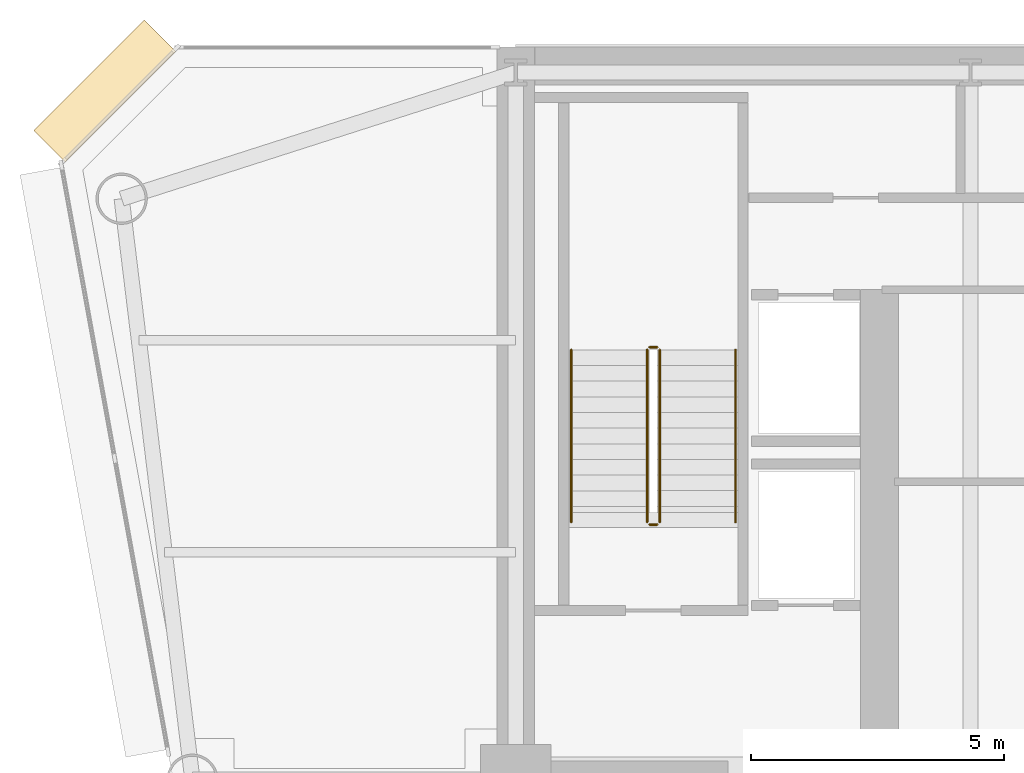
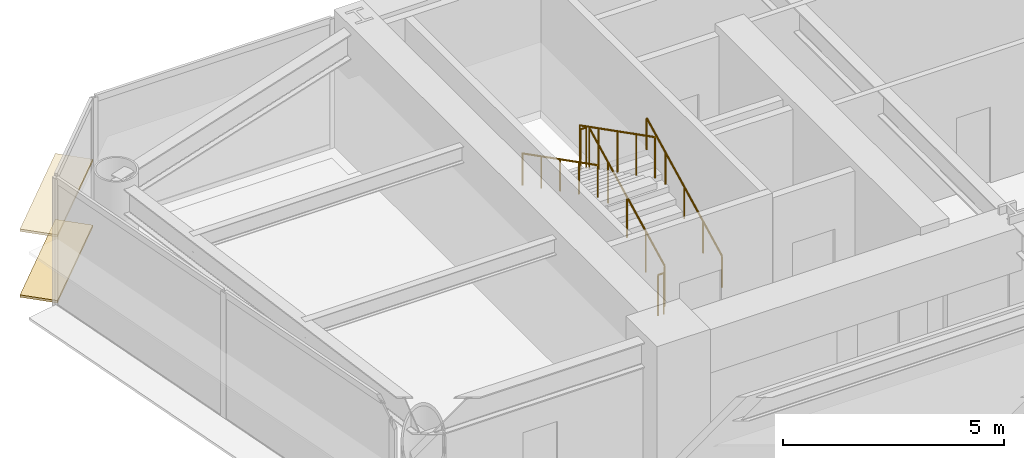
# One storey, part 12 of 14: 6 railings, 2 coverings.
"""IFC4 building model written with IfcOpenShell, lengths in metres."""

from ifc_helpers import new_model, si_unit, direction, frame, origin, origin_2d, place, context, subcontext, project, spatial, rectangle, circle, extrude, source, transform, mapped, material, layer, layer_set, type_object, element, save


model = new_model("IFC4")

# Units and contexts
model_context = context("Model", 3, precision=1e-05, world=origin(), true_north=direction((0.0, 1.0)))
body_context = subcontext(model_context, "Body", "Model", "MODEL_VIEW")
ifc_project = project(units=[si_unit("LENGTHUNIT", "METRE"), si_unit("AREAUNIT", "SQUARE_METRE"), si_unit("VOLUMEUNIT", "CUBIC_METRE"), si_unit("PLANEANGLEUNIT", "RADIAN"), si_unit("MASSUNIT", "GRAM", prefix="KILO")], contexts=[model_context])

# Site, building, storey
site_placement = place(None, origin())
site = spatial("IfcSite", under=ifc_project, at=site_placement, CompositionType="ELEMENT")
building_placement = place(site_placement, origin())
building = spatial("IfcBuilding", under=site, at=building_placement, Name="Vaeldorn Concourse Tower", CompositionType="ELEMENT")
storey_placement = place(building_placement, frame((0.0, 0.0, 126.199951171875)))
storey = spatial("IfcBuildingStorey", under=building, at=storey_placement, Name="L32", CompositionType="ELEMENT", Elevation=126.199951171875)

# Railings
ifc_material = material(Name="Anodised Bronze Aluminium", Category="aluminium")
railing_type_1 = type_object("IfcRailingType", Name="RL-STAIR-GUARD", PredefinedType="GUARDRAIL", material=ifc_material)
railing_1_placement = place(storey_placement, frame((16.85009765625, 41.60009765625, 0.158447265625)))
element("IfcRailing", 1, at=railing_1_placement, inside=storey, type_object=railing_type_1, Name="L32 ST-1 stair guard 1", PredefinedType="GUARDRAIL", context=body_context, shape_type="SweptSolid", body=[
    extrude(circle(Radius=0.02392578125, at=origin_2d()), frame((0.0, 0.0, 1.1259765625), z_axis=(0.0, 0.890555807335, 0.454873997962), x_axis=(-1.0, 0.0, 0.0)), (0.0, 0.0, 1.0), 3.828857421875),
    extrude(circle(Radius=0.02099609375, at=origin_2d()), origin(), (0.0, 0.0, 1.0), 1.101806640625),
    extrude(circle(Radius=0.02099609375, at=origin_2d()), frame((0.0, 0.8525390625, 0.435546875)), (0.0, 0.0, 1.0), 1.101806640625),
    extrude(circle(Radius=0.02099609375, at=origin_2d()), frame((0.0, 1.705078125, 0.870849609375)), (0.0, 0.0, 1.0), 1.101806640625),
    extrude(circle(Radius=0.02099609375, at=origin_2d()), frame((0.0, 2.557373046875, 1.30615234375)), (0.0, 0.0, 1.0), 1.101806640625),
    extrude(circle(Radius=0.02099609375, at=origin_2d()), frame((0.0, 3.409912109375, 1.74169921875)), (0.0, 0.0, 1.0), 1.101806640625),
])
railing_2_placement = place(storey_placement, frame((16.800048828125, 45.06005859375, 1.900146484375)))
element("IfcRailing", 2, at=railing_2_placement, inside=storey, type_object=railing_type_1, Name="L32 ST-1 stair guard 2", PredefinedType="GUARDRAIL", context=body_context, shape_type="SweptSolid", body=[
    extrude(circle(Radius=0.02392578125, at=origin_2d()), frame((0.0, 0.0, 1.1259765625), z_axis=(-1.0, 0.0, 0.0), x_axis=(0.0, -1.0, 0.0)), (0.0, 0.0, 1.0), 0.150146484375),
    extrude(circle(Radius=0.02099609375, at=origin_2d()), origin(), (0.0, 0.0, 1.0), 1.101806640625),
    extrude(circle(Radius=0.02099609375, at=origin_2d()), frame((-0.150146484375, 0.0, 0.0)), (0.0, 0.0, 1.0), 1.101806640625),
])
railing_3_placement = place(storey_placement, frame((16.60009765625, 45.010009765625, 2.058349609375)))
element("IfcRailing", 3, at=railing_3_placement, inside=storey, type_object=railing_type_1, Name="L32 ST-1 stair guard 3", PredefinedType="GUARDRAIL", context=body_context, shape_type="SweptSolid", body=[
    extrude(circle(Radius=0.02392578125, at=origin_2d()), frame((0.0, 0.0, 1.1259765625), z_axis=(0.0, -0.890555807335, 0.454873997962), x_axis=(1.0, 0.0, 0.0)), (0.0, 0.0, 1.0), 3.828857421875),
    extrude(circle(Radius=0.02099609375, at=origin_2d()), origin(), (0.0, 0.0, 1.0), 1.101806640625),
    extrude(circle(Radius=0.02099609375, at=origin_2d()), frame((0.0, -0.8525390625, 0.435546875)), (0.0, 0.0, 1.0), 1.101806640625),
    extrude(circle(Radius=0.02099609375, at=origin_2d()), frame((0.0, -1.705078125, 0.870849609375)), (0.0, 0.0, 1.0), 1.101806640625),
    extrude(circle(Radius=0.02099609375, at=origin_2d()), frame((0.0, -2.557373046875, 1.30615234375)), (0.0, 0.0, 1.0), 1.101806640625),
    extrude(circle(Radius=0.02099609375, at=origin_2d()), frame((0.0, -3.409912109375, 1.74169921875)), (0.0, 0.0, 1.0), 1.101806640625),
])
railing_4_placement = place(storey_placement, frame((16.800048828125, 41.550048828125, 0.0)))
element("IfcRailing", 4, at=railing_4_placement, inside=storey, type_object=railing_type_1, Name="L32 ST-1 stair guard 4", PredefinedType="GUARDRAIL", context=body_context, shape_type="SweptSolid", body=[
    extrude(circle(Radius=0.02392578125, at=origin_2d()), frame((0.0, 0.0, 1.1259765625), z_axis=(-1.0, 0.0, 0.0), x_axis=(0.0, -1.0, 0.0)), (0.0, 0.0, 1.0), 0.150146484375),
    extrude(circle(Radius=0.02099609375, at=origin_2d()), origin(), (0.0, 0.0, 1.0), 1.101806640625),
    extrude(circle(Radius=0.02099609375, at=origin_2d()), frame((-0.150146484375, 0.0, 0.0)), (0.0, 0.0, 1.0), 1.101806640625),
])
railing_type_2 = type_object("IfcRailingType", Name="RL-STAIR-HANDRAIL", PredefinedType="HANDRAIL", material=ifc_material)
railing_5_placement = place(storey_placement, frame((18.35009765625, 41.60009765625, 0.158447265625)))
element("IfcRailing", 5, at=railing_5_placement, inside=storey, type_object=railing_type_2, Name="L32 ST-1 stair handrail 1", PredefinedType="HANDRAIL", context=body_context, shape_type="SweptSolid", body=[
    extrude(circle(Radius=0.02392578125, at=origin_2d()), frame((0.0, 0.0, 0.8759765625), z_axis=(0.0, 0.890555807335, 0.454873997962), x_axis=(-1.0, 0.0, 0.0)), (0.0, 0.0, 1.0), 3.828857421875),
    extrude(circle(Radius=0.02099609375, at=origin_2d()), origin(), (0.0, 0.0, 1.0), 0.851806640625),
    extrude(circle(Radius=0.02099609375, at=origin_2d()), frame((0.0, 0.8525390625, 0.435546875)), (0.0, 0.0, 1.0), 0.851806640625),
    extrude(circle(Radius=0.02099609375, at=origin_2d()), frame((0.0, 1.705078125, 0.870849609375)), (0.0, 0.0, 1.0), 0.851806640625),
    extrude(circle(Radius=0.02099609375, at=origin_2d()), frame((0.0, 2.557373046875, 1.30615234375)), (0.0, 0.0, 1.0), 0.851806640625),
    extrude(circle(Radius=0.02099609375, at=origin_2d()), frame((0.0, 3.409912109375, 1.74169921875)), (0.0, 0.0, 1.0), 0.851806640625),
])
railing_6_placement = place(storey_placement, frame((15.10009765625, 45.010009765625, 2.058349609375)))
element("IfcRailing", 6, at=railing_6_placement, inside=storey, type_object=railing_type_2, Name="L32 ST-1 stair handrail 2", PredefinedType="HANDRAIL", context=body_context, shape_type="SweptSolid", body=[
    extrude(circle(Radius=0.02392578125, at=origin_2d()), frame((0.0, 0.0, 0.8759765625), z_axis=(0.0, -0.890555807335, 0.454873997962), x_axis=(1.0, 0.0, 0.0)), (0.0, 0.0, 1.0), 3.828857421875),
    extrude(circle(Radius=0.02099609375, at=origin_2d()), origin(), (0.0, 0.0, 1.0), 0.851806640625),
    extrude(circle(Radius=0.02099609375, at=origin_2d()), frame((0.0, -0.8525390625, 0.435546875)), (0.0, 0.0, 1.0), 0.851806640625),
    extrude(circle(Radius=0.02099609375, at=origin_2d()), frame((0.0, -1.705078125, 0.870849609375)), (0.0, 0.0, 1.0), 0.851806640625),
    extrude(circle(Radius=0.02099609375, at=origin_2d()), frame((0.0, -2.557373046875, 1.30615234375)), (0.0, 0.0, 1.0), 0.851806640625),
    extrude(circle(Radius=0.02099609375, at=origin_2d()), frame((0.0, -3.409912109375, 1.74169921875)), (0.0, 0.0, 1.0), 0.851806640625),
])

# Coverings
ifc_layer = layer(ifc_material, 0.06494140625)
ifc_layer_set = layer_set([ifc_layer], Name="Anodised Bronze Aluminium")
covering_type = type_object("IfcCoveringType", Name="SD-BRONZE-SUNSHADE", PredefinedType="USERDEFINED", material=ifc_layer_set)
shared_shape = source(origin(), body_context, "Body", "SweptSolid", [
    extrude(rectangle(XDim=3.0927734375, YDim=0.8798828125, at=origin_2d()), origin(), (0.0, 0.0, 1.0), 0.06494140625),
])
for number, where, z_axis, x_axis, name in (
    (7, (5.8671875, 50.1328125, 0.047607421875), (0.0, 0.0, 1.0), (-0.707106781187, -0.707106781187, 0.0), "Horizontal Bronze Sunshade L32-E10.1.1"),
    (8, (5.8671875, 50.1328125, 1.86767578125), (0.0, 0.0, 1.0), (-0.707106781187, -0.707106781187, 0.0), "Horizontal Bronze Sunshade L32-E10.1.2"),
):
    element("IfcCovering", number, at=place(storey_placement, frame(where, z_axis=z_axis, x_axis=x_axis)), inside=storey, type_object=covering_type, Name=name, ObjectType="SUNSHADE", PredefinedType="USERDEFINED", context=body_context, shape_type="MappedRepresentation", body=[
        mapped(shared_shape, transform((0.0, 0.0, 0.0), scale=1.0)),
    ])

save(model, "model.ifc")
